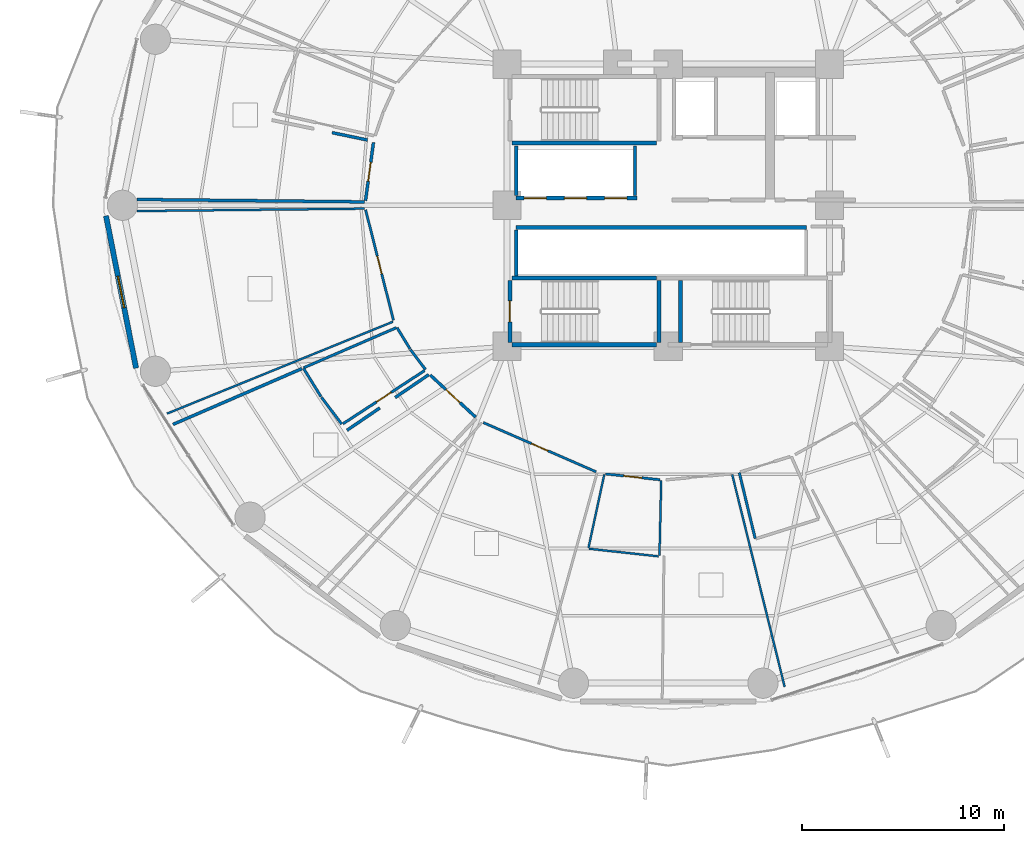
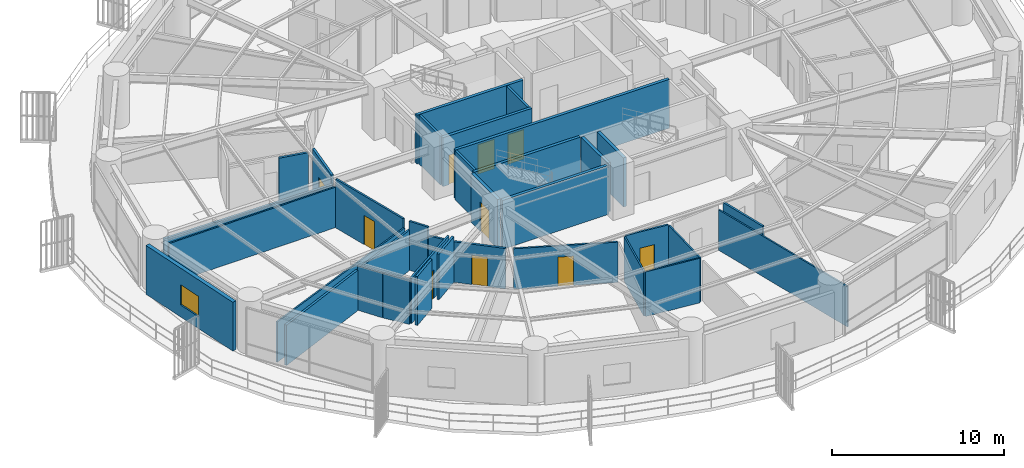
# One storey, part 24 of 33: 35 walls, 10 doors, 1 window, 11 openings.
"""IFC4 building model written with IfcOpenShell, lengths in metres."""

from ifc_helpers import new_model, si_unit, direction, frame, frame_2d, origin, place, context, subcontext, project, spatial, rectangle, extrude, material, layer, layer_set, type_object, element, fill, save


model = new_model("IFC4")

# Units and contexts
model_context = context("Model", 3, precision=1e-05, world=origin(), true_north=direction((0.0, 1.0)))
body_context = subcontext(model_context, "Body", "Model", "MODEL_VIEW")
ifc_project = project(units=[si_unit("LENGTHUNIT", "METRE"), si_unit("AREAUNIT", "SQUARE_METRE"), si_unit("VOLUMEUNIT", "CUBIC_METRE"), si_unit("PLANEANGLEUNIT", "RADIAN"), si_unit("MASSUNIT", "GRAM", prefix="KILO")], contexts=[model_context])

# Site, building, storey
site_placement = place(None, origin())
site = spatial("IfcSite", under=ifc_project, at=site_placement, CompositionType="ELEMENT")
building_placement = place(site_placement, origin())
building = spatial("IfcBuilding", under=site, at=building_placement, Name="Kelanora Arch Commons", CompositionType="ELEMENT")
storey_placement = place(building_placement, frame((0.0, 0.0, 26.25)))
storey = spatial("IfcBuildingStorey", under=building, at=storey_placement, Name="L06", CompositionType="ELEMENT", Elevation=26.25)

# Walls
ifc_material_1 = material(Name="Autoclaved aerated concrete blockwork with fire plaster", Category="masonry")
ifc_layer_1 = layer(ifc_material_1, 0.14990234375)
ifc_layer_set_1 = layer_set([ifc_layer_1], Name="Autoclaved aerated concrete blockwork with fire plaster")
wall_type_1 = type_object("IfcWallType", Name="W-COMP-150", PredefinedType="PARTITIONING", material=ifc_layer_set_1)
for number, where, z_axis, x_axis, name in (
    (1, (66.4599609375, 58.47998046875, 0.0), (0.0, 0.0, 1.0), (0.0, 1.0, 0.0), "Low-Rise Lift Bank West Wall L06"),
    (2, (72.340087890625, 58.47998046875, 0.0), (0.0, 0.0, 1.0), (0.0, 1.0, 0.0), "Low-Rise Lift Bank East Wall L06"),
):
    element("IfcWall", number, at=place(storey_placement, frame(where, z_axis=z_axis, x_axis=x_axis)), inside=storey, type_object=wall_type_1, Name=name, PredefinedType="PARTITIONING", context=body_context, shape_type="SweptSolid", body=[
        extrude(rectangle(XDim=2.4599609375, YDim=0.14990234375, at=frame_2d((1.22998046875, 0.0))), origin(), (0.0, 0.0, 1.0), 3.47998046875),
    ])
wall_1_placement = place(storey_placement, frame((66.4599609375, 54.47998046875, 0.0), z_axis=(0.0, 0.0, 1.0), x_axis=(0.0, 1.0, 0.0)))
element("IfcWall", 3, at=wall_1_placement, inside=storey, type_object=wall_type_1, Name="South Lift Bank West Wall L06", PredefinedType="PARTITIONING", context=body_context, shape_type="SweptSolid", body=[
    extrude(rectangle(XDim=2.2900390625, YDim=0.14990234375, at=frame_2d((1.14501953125, 0.0))), origin(), (0.0, 0.0, 1.0), 3.47998046875),
])

# Wall, opening, door
wall_2_placement = place(storey_placement, frame((59.375, 61.114501953125, 0.0), z_axis=(0.0, 0.0, 1.0), x_axis=(-0.135838186105, -0.990731036758, 0.0)))
wall_2 = element("IfcWall", 4, at=wall_2_placement, inside=storey, type_object=wall_type_1, Name="Co-Living Studio L06-07 Entry Partition", PredefinedType="PARTITIONING", context=body_context, shape_type="SweptSolid", body=[
    extrude(rectangle(XDim=2.915283203125, YDim=0.14990234375, at=frame_2d((1.45751953125, 0.0))), origin(), (0.0, 0.0, 1.0), 3.47998046875),
])
opening_1_placement = place(wall_2_placement, frame((0.98291015625, 0.0, 0.0)))
opening_1 = element("IfcOpeningElement", 5, at=opening_1_placement, cuts=wall_2, Name="Opening D-CLU1", PredefinedType="OPENING", context=body_context, shape_type="SweptSolid", body=[
    extrude(rectangle(XDim=0.949951171875, YDim=2.080078125, at=frame_2d((0.47509765625, 1.0400390625))), frame((0.0, 0.0849609375, 0.0), z_axis=(0.0, -1.0, 0.0), x_axis=(1.0, 0.0, 0.0)), (0.0, 0.0, 1.0), 0.169921875),
])
ifc_material_2 = material(Name="Solid-core acoustic timber cluster entry fire door", Category="wood")
door_type_1 = type_object("IfcDoorType", Name="D-CLU-95", OperationType="NOTDEFINED", PredefinedType="DOOR", material=ifc_material_2)
door_1_placement = place(opening_1_placement, origin())
door_1 = element("IfcDoor", 6, at=door_1_placement, inside=storey, type_object=door_type_1, Name="Co-Living Studio L06-07 Door", OperationType="SINGLE_SWING_RIGHT", OverallHeight=2.080078125, OverallWidth=0.949951171875, PredefinedType="DOOR", context=body_context, shape_type="SweptSolid", body=[
    extrude(rectangle(XDim=0.949951171875, YDim=2.080078125, at=frame_2d((0.47509765625, 1.0400390625))), frame((0.0, 0.02490234375, 0.0), z_axis=(0.0, -1.0, 0.0), x_axis=(1.0, 0.0, 0.0)), (0.0, 0.0, 1.0), 0.050048828125),
])
fill(opening_1, door_1)

wall_3_placement = place(storey_placement, frame((62.194091796875, 49.5751953125, 0.0), z_axis=(0.0, 0.0, 1.0), x_axis=(0.7329267348, -0.680307578538, 0.0)))
wall_3 = element("IfcWall", 7, at=wall_3_placement, inside=storey, type_object=wall_type_1, Name="Co-Living Studio L06-09 Entry Partition", PredefinedType="PARTITIONING", context=body_context, shape_type="SweptSolid", body=[
    extrude(rectangle(XDim=3.06689453125, YDim=0.14990234375, at=frame_2d((1.533447265625, 0.0))), origin(), (0.0, 0.0, 1.0), 2.875),
])
opening_2_placement = place(wall_3_placement, frame((1.05908203125, 0.0, 0.0)))
opening_2 = element("IfcOpeningElement", 8, at=opening_2_placement, cuts=wall_3, Name="Opening D-CLU1", PredefinedType="OPENING", context=body_context, shape_type="SweptSolid", body=[
    extrude(rectangle(XDim=0.949951171875, YDim=2.080078125, at=frame_2d((0.47509765625, 1.0400390625))), frame((0.0, 0.0849609375, 0.0), z_axis=(0.0, -1.0, 0.0), x_axis=(1.0, 0.0, 0.0)), (0.0, 0.0, 1.0), 0.169921875),
])
door_2_placement = place(opening_2_placement, origin())
door_2 = element("IfcDoor", 9, at=door_2_placement, inside=storey, type_object=door_type_1, Name="Co-Living Studio L06-09 Door", OperationType="SINGLE_SWING_LEFT", OverallHeight=2.080078125, OverallWidth=0.949951171875, PredefinedType="DOOR", context=body_context, shape_type="SweptSolid", body=[
    extrude(rectangle(XDim=0.949951171875, YDim=2.080078125, at=frame_2d((0.47509765625, 1.0400390625))), frame((0.0, 0.02490234375, 0.0), z_axis=(0.0, -1.0, 0.0), x_axis=(1.0, 0.0, 0.0)), (0.0, 0.0, 1.0), 0.050048828125),
])
fill(opening_2, door_2)

# Walls
wall_4_placement = place(storey_placement, frame((58.930908203125, 58.16748046875, 0.0), z_axis=(0.0, 0.0, 1.0), x_axis=(-0.999943877154, 0.010594458135, 0.0)))
element("IfcWall", 10, at=wall_4_placement, inside=storey, type_object=wall_type_1, Name="Co-Living Studio L06-07 Enclosure Partition 2", PredefinedType="PARTITIONING", context=body_context, shape_type="SweptSolid", body=[
    extrude(rectangle(XDim=11.291748046875, YDim=0.14990234375, at=frame_2d((5.64599609375, 0.0))), origin(), (0.0, 0.0, 1.0), 2.875),
])
wall_5_placement = place(storey_placement, frame((57.325439453125, 61.603271484375, 0.0), z_axis=(0.0, 0.0, 1.0), x_axis=(0.978929424395, -0.204198878681, 0.0)))
element("IfcWall", 11, at=wall_5_placement, inside=storey, type_object=wall_type_1, Name="Co-Living Studio L06-07 Enclosure Partition 7", PredefinedType="PARTITIONING", context=body_context, shape_type="SweptSolid", body=[
    extrude(rectangle(XDim=1.79345703125, YDim=0.14990234375, at=frame_2d((0.896728515625, 0.0))), origin(), (0.0, 0.0, 1.0), 3.235107421875),
])
wall_6_placement = place(storey_placement, frame((49.42578125, 47.1259765625, 0.0), z_axis=(0.0, 0.0, 1.0), x_axis=(0.917736225937, 0.397190407239, 0.0)))
element("IfcWall", 12, at=wall_6_placement, inside=storey, type_object=wall_type_1, Name="Co-Living Studio L06-09 Enclosure Partition 5", PredefinedType="PARTITIONING", context=body_context, shape_type="SweptSolid", body=[
    extrude(rectangle(XDim=6.966552734375, YDim=0.14990234375, at=frame_2d((3.4833984375, 0.0))), origin(), (0.0, 0.0, 1.0), 2.875),
])
wall_7_placement = place(storey_placement, frame((58.06103515625, 46.83447265625, 0.0), z_axis=(0.0, 0.0, 1.0), x_axis=(0.826811291248, 0.562479411769, 0.0)))
element("IfcWall", 13, at=wall_7_placement, inside=storey, type_object=wall_type_1, Name="Co-Living Studio L06-09 Enclosure Partition 7", PredefinedType="PARTITIONING", context=body_context, shape_type="SweptSolid", body=[
    extrude(rectangle(XDim=1.970947265625, YDim=0.14990234375, at=frame_2d((0.9853515625, 0.0))), origin(), (0.0, 0.0, 1.0), 3.47998046875),
])
wall_8_placement = place(storey_placement, frame((60.451416015625, 48.460693359375, 0.0), z_axis=(0.0, 0.0, 1.0), x_axis=(0.826867883695, 0.562396215237, 0.0)))
element("IfcWall", 14, at=wall_8_placement, inside=storey, type_object=wall_type_1, Name="Co-Living Studio L06-09 Enclosure Partition 7", PredefinedType="PARTITIONING", context=body_context, shape_type="SweptSolid", body=[
    extrude(rectangle(XDim=2.01416015625, YDim=0.14990234375, at=frame_2d((1.007080078125, 0.0))), origin(), (0.0, 0.0, 1.0), 3.235107421875),
])

# Wall, opening, window
ifc_material_3 = material(Name="Precast concrete C40/50 with terracotta rainscreen", Category="masonry")
ifc_layer_2 = layer(ifc_material_3, 0.260009765625)
ifc_layer_set_2 = layer_set([ifc_layer_2], Name="Precast concrete C40/50 with terracotta rainscreen")
wall_type_2 = type_object("IfcWallType", Name="W-EXT-TC", PredefinedType="SOLIDWALL", material=ifc_layer_set_2)
wall_9_placement = place(storey_placement, frame((46.103515625, 57.4765625, 0.0), z_axis=(0.0, 0.0, 1.0), x_axis=(0.193726159581, -0.98105564322, 0.0)))
wall_9 = element("IfcWall", 15, at=wall_9_placement, inside=storey, type_object=wall_type_2, Name="Terracotta Exterior Wall L06-B09", PredefinedType="SOLIDWALL", context=body_context, shape_type="SweptSolid", body=[
    extrude(rectangle(XDim=7.70263671875, YDim=0.260009765625, at=frame_2d((3.851318359375, 0.0))), origin(), (0.0, 0.0, 1.0), 3.47509765625),
])
opening_3_placement = place(wall_9_placement, frame((3.051025390625, 0.0, 0.85009765625)))
opening_3 = element("IfcOpeningElement", 16, at=opening_3_placement, cuts=wall_9, Name="Opening WN-01", PredefinedType="OPENING", context=body_context, shape_type="SweptSolid", body=[
    extrude(rectangle(XDim=1.60009765625, YDim=1.449951171875, at=frame_2d((0.800048828125, 0.72509765625))), frame((0.0, 0.14013671875, 0.0), z_axis=(0.0, -1.0, 0.0), x_axis=(1.0, 0.0, 0.0)), (0.0, 0.0, 1.0), 0.280029296875),
])
ifc_material_4 = material(Name="Terracotta-anodised aluminium frame with operable low-E glazing", Category="masonry")
window_type = type_object("IfcWindowType", Name="WIN-CL-18", PartitioningType="DOUBLE_PANEL_VERTICAL", PredefinedType="WINDOW", material=ifc_material_4)
window_placement = place(opening_3_placement, origin())
window = element("IfcWindow", 17, at=window_placement, inside=storey, type_object=window_type, Name="Co-Living Operable Window L06-B09", OverallHeight=1.449951171875, OverallWidth=1.60009765625, PartitioningType="SINGLE_PANEL", PredefinedType="WINDOW", context=body_context, shape_type="SweptSolid", body=[
    extrude(rectangle(XDim=1.60009765625, YDim=1.449951171875, at=frame_2d((0.800048828125, 0.72509765625))), frame((0.0, 0.030029296875, 0.0), z_axis=(0.0, -1.0, 0.0), x_axis=(1.0, 0.0, 0.0)), (0.0, 0.0, 1.0), 0.06005859375),
])
fill(opening_3, window)

# Wall, openings, doors
ifc_material_5 = material(Name="Concrete C40/50", Category="concrete")
ifc_layer_3 = layer(ifc_material_5, 0.199951171875)
ifc_layer_set_3 = layer_set([ifc_layer_3], Name="Concrete C40/50")
wall_type_3 = type_object("IfcWallType", Name="W-FFL-200", PredefinedType="SOLIDWALL", material=ifc_layer_set_3)
wall_10_placement = place(storey_placement, frame((66.449951171875, 58.35009765625, 0.0), z_axis=(0.0, 0.0, 1.0), x_axis=(1.0, 0.0, 0.0)))
wall_10 = element("IfcWall", 18, at=wall_10_placement, inside=storey, type_object=wall_type_3, Name="Low-Rise Passenger Lift Shaft Front L06", PredefinedType="SOLIDWALL", context=body_context, shape_type="SweptSolid", body=[
    extrude(rectangle(XDim=6.0, YDim=0.199951171875, at=frame_2d((3.0, 0.0))), origin(), (0.0, 0.0, 1.0), 3.47998046875),
])
opening_4_placement = place(wall_10_placement, frame((0.39990234375, 0.0, 0.0)))
opening_4 = element("IfcOpeningElement", 19, at=opening_4_placement, cuts=wall_10, Name="Opening LD-01", PredefinedType="OPENING", context=body_context, shape_type="SweptSolid", body=[
    extrude(rectangle(XDim=1.10009765625, YDim=2.10009765625, at=frame_2d((0.550048828125, 1.050048828125))), frame((0.0, 0.10986328125, 0.0), z_axis=(0.0, -1.0, 0.0), x_axis=(1.0, 0.0, 0.0)), (0.0, 0.0, 1.0), 0.219970703125),
])
opening_5_placement = place(wall_10_placement, frame((2.39990234375, 0.0, 0.0)))
opening_5 = element("IfcOpeningElement", 20, at=opening_5_placement, cuts=wall_10, Name="Opening LD-01", PredefinedType="OPENING", context=body_context, shape_type="SweptSolid", body=[
    extrude(rectangle(XDim=1.10009765625, YDim=2.10009765625, at=frame_2d((0.550048828125, 1.050048828125))), frame((0.0, 0.10986328125, 0.0), z_axis=(0.0, -1.0, 0.0), x_axis=(1.0, 0.0, 0.0)), (0.0, 0.0, 1.0), 0.219970703125),
])
opening_6_placement = place(wall_10_placement, frame((4.39990234375, 0.0, 0.0)))
opening_6 = element("IfcOpeningElement", 21, at=opening_6_placement, cuts=wall_10, Name="Opening LD-01", PredefinedType="OPENING", context=body_context, shape_type="SweptSolid", body=[
    extrude(rectangle(XDim=1.10009765625, YDim=2.10009765625, at=frame_2d((0.550048828125, 1.050048828125))), frame((0.0, 0.10986328125, 0.0), z_axis=(0.0, -1.0, 0.0), x_axis=(1.0, 0.0, 0.0)), (0.0, 0.0, 1.0), 0.219970703125),
])
ifc_material_6 = material(Name="Stainless steel passenger lift sliding landing door", Category="steel")
door_type_2 = type_object("IfcDoorType", Name="D-LIFT-110", OperationType="NOTDEFINED", PredefinedType="DOOR", material=ifc_material_6)
door_3_placement = place(opening_4_placement, origin())
door_3 = element("IfcDoor", 22, at=door_3_placement, inside=storey, type_object=door_type_2, Name="Passenger Lift LF-P1 Landing Door L06", OperationType="DOUBLE_DOOR_SLIDING", OverallHeight=2.10009765625, OverallWidth=1.10009765625, PredefinedType="DOOR", context=body_context, shape_type="SweptSolid", body=[
    extrude(rectangle(XDim=1.10009765625, YDim=2.10009765625, at=frame_2d((0.550048828125, 1.050048828125))), frame((0.0, 0.02490234375, 0.0), z_axis=(0.0, -1.0, 0.0), x_axis=(1.0, 0.0, 0.0)), (0.0, 0.0, 1.0), 0.050048828125),
])
fill(opening_4, door_3)
door_4_placement = place(opening_5_placement, origin())
door_4 = element("IfcDoor", 23, at=door_4_placement, inside=storey, type_object=door_type_2, Name="Passenger Lift LF-P2 Landing Door L06", OperationType="DOUBLE_DOOR_SLIDING", OverallHeight=2.10009765625, OverallWidth=1.10009765625, PredefinedType="DOOR", context=body_context, shape_type="SweptSolid", body=[
    extrude(rectangle(XDim=1.10009765625, YDim=2.10009765625, at=frame_2d((0.550048828125, 1.050048828125))), frame((0.0, 0.02490234375, 0.0), z_axis=(0.0, -1.0, 0.0), x_axis=(1.0, 0.0, 0.0)), (0.0, 0.0, 1.0), 0.050048828125),
])
fill(opening_5, door_4)
door_5_placement = place(opening_6_placement, origin())
door_5 = element("IfcDoor", 24, at=door_5_placement, inside=storey, type_object=door_type_2, Name="Passenger Lift LF-P3 Landing Door L06", OperationType="DOUBLE_DOOR_SLIDING", OverallHeight=2.10009765625, OverallWidth=1.10009765625, PredefinedType="DOOR", context=body_context, shape_type="SweptSolid", body=[
    extrude(rectangle(XDim=1.10009765625, YDim=2.10009765625, at=frame_2d((0.550048828125, 1.050048828125))), frame((0.0, 0.02490234375, 0.0), z_axis=(0.0, -1.0, 0.0), x_axis=(1.0, 0.0, 0.0)), (0.0, 0.0, 1.0), 0.050048828125),
])
fill(opening_6, door_5)

# Walls
wall_11_placement = place(storey_placement, frame((66.449951171875, 56.89990234375, 0.0), z_axis=(0.0, 0.0, 1.0), x_axis=(1.0, 0.0, 0.0)))
element("IfcWall", 25, at=wall_11_placement, inside=storey, type_object=wall_type_3, Name="Mid/High/Express Lift Shaft Front L06", PredefinedType="SOLIDWALL", context=body_context, shape_type="SweptSolid", body=[
    extrude(rectangle(XDim=14.400146484375, YDim=0.199951171875, at=frame_2d((7.2001953125, 0.0))), origin(), (0.0, 0.0, 1.0), 3.47998046875),
])
ifc_material_7 = material(Name="Lightweight fire-rated acoustic stud partition")
ifc_layer_4 = layer(ifc_material_7, 0.10009765625)
ifc_layer_set_4 = layer_set([ifc_layer_4], Name="Lightweight fire-rated acoustic stud partition")
wall_type_4 = type_object("IfcWallType", Name="W-PART-100", PredefinedType="PARTITIONING", material=ifc_layer_set_4)
wall_12_placement = place(storey_placement, frame((60.343017578125, 52.221923828125, 0.0), z_axis=(0.0, 0.0, 1.0), x_axis=(-0.926333713065, -0.376703931542, 0.0)))
element("IfcWall", 26, at=wall_12_placement, inside=storey, type_object=wall_type_4, Name="Social Sky Lounge L06-08 Enclosure Partition 2", PredefinedType="PARTITIONING", context=body_context, shape_type="SweptSolid", body=[
    extrude(rectangle(XDim=12.099365234375, YDim=0.10009765625, at=frame_2d((6.0498046875, 0.0))), origin(), (0.0, 0.0, 1.0), 2.875),
])
wall_13_placement = place(storey_placement, frame((47.639892578125, 57.712890625, 0.0), z_axis=(0.0, 0.0, 1.0), x_axis=(0.999943877154, 0.010594458135, 0.0)))
element("IfcWall", 27, at=wall_13_placement, inside=storey, type_object=wall_type_4, Name="Social Sky Lounge L06-08 Enclosure Partition 4", PredefinedType="PARTITIONING", context=body_context, shape_type="SweptSolid", body=[
    extrude(rectangle(XDim=11.291748046875, YDim=0.10009765625, at=frame_2d((5.64599609375, 0.0))), origin(), (0.0, 0.0, 1.0), 2.875),
])
wall_14_placement = place(storey_placement, frame((73.652099609375, 44.333984375, 0.0), z_axis=(0.0, 0.0, 1.0), x_axis=(-0.02316715399, -0.99973160547, 0.0)))
element("IfcWall", 28, at=wall_14_placement, inside=storey, type_object=wall_type_4, Name="Student Laundry Room L06-11 Enclosure Partition 2", PredefinedType="PARTITIONING", context=body_context, shape_type="SweptSolid", body=[
    extrude(rectangle(XDim=3.719970703125, YDim=0.10009765625, at=frame_2d((1.85986328125, 0.0))), origin(), (0.0, 0.0, 1.0), 3.175048828125),
])
wall_15_placement = place(storey_placement, frame((73.525146484375, 40.579345703125, 0.0), z_axis=(0.0, 0.0, 1.0), x_axis=(-0.994070147468, 0.108740709544, 0.0)))
element("IfcWall", 29, at=wall_15_placement, inside=storey, type_object=wall_type_4, Name="Student Laundry Room L06-11 Enclosure Partition 3", PredefinedType="PARTITIONING", context=body_context, shape_type="SweptSolid", body=[
    extrude(rectangle(XDim=3.470947265625, YDim=0.10009765625, at=frame_2d((1.7353515625, 0.0))), origin(), (0.0, 0.0, 1.0), 3.175048828125),
])
wall_16_placement = place(storey_placement, frame((70.04345703125, 41.0, 0.0), z_axis=(0.0, 0.0, 1.0), x_axis=(0.210519412271, 0.977589677246, 0.0)))
element("IfcWall", 30, at=wall_16_placement, inside=storey, type_object=wall_type_4, Name="Student Laundry Room L06-11 Enclosure Partition 4", PredefinedType="PARTITIONING", context=body_context, shape_type="SweptSolid", body=[
    extrude(rectangle(XDim=3.72021484375, YDim=0.10009765625, at=frame_2d((1.860107421875, 0.0))), origin(), (0.0, 0.0, 1.0), 3.175048828125),
])
wall_17_placement = place(storey_placement, frame((77.174560546875, 44.63720703125, 0.0), z_axis=(0.0, 0.0, 1.0), x_axis=(0.239971369295, -0.970779965759, 0.0)))
element("IfcWall", 31, at=wall_17_placement, inside=storey, type_object=wall_type_4, Name="Quiet Reading Carrel L06-11 Enclosure Partition 2", PredefinedType="PARTITIONING", context=body_context, shape_type="SweptSolid", body=[
    extrude(rectangle(XDim=10.84619140625, YDim=0.10009765625, at=frame_2d((5.423095703125, 0.0))), origin(), (0.0, 0.0, 1.0), 2.875),
])

# Wall, opening, door
ifc_material_8 = material(Name="Acoustic twin-stud fire-rated gypsum partition")
ifc_layer_5 = layer(ifc_material_8, 0.1201171875)
ifc_layer_set_5 = layer_set([ifc_layer_5], Name="Acoustic twin-stud fire-rated gypsum partition")
wall_type_5 = type_object("IfcWallType", Name="W-PART-120", PredefinedType="PARTITIONING", material=ifc_layer_set_5)
wall_18_placement = place(storey_placement, frame((58.985595703125, 57.77490234375, 0.0), z_axis=(0.0, 0.0, 1.0), x_axis=(0.244192294026, -0.969726829338, 0.0)))
wall_18 = element("IfcWall", 32, at=wall_18_placement, inside=storey, type_object=wall_type_5, Name="Social Sky Lounge L06-08 Entry Partition", PredefinedType="PARTITIONING", context=body_context, shape_type="SweptSolid", body=[
    extrude(rectangle(XDim=5.65087890625, YDim=0.1201171875, at=frame_2d((2.825439453125, 0.0))), origin(), (0.0, 0.0, 1.0), 3.47998046875),
])
opening_7_placement = place(wall_18_placement, frame((2.375, 0.0, 0.0)))
opening_7 = element("IfcOpeningElement", 33, at=opening_7_placement, cuts=wall_18, Name="Opening D-RM1", PredefinedType="OPENING", context=body_context, shape_type="SweptSolid", body=[
    extrude(rectangle(XDim=0.89990234375, YDim=2.080078125, at=frame_2d((0.449951171875, 1.0400390625))), frame((0.0, 0.070068359375, 0.0), z_axis=(0.0, -1.0, 0.0), x_axis=(1.0, 0.0, 0.0)), (0.0, 0.0, 1.0), 0.14013671875),
])
ifc_material_9 = material(Name="Acoustic fire-rated timber study and lounge door", Category="wood")
door_type_3 = type_object("IfcDoorType", Name="D-ROOM-90", OperationType="NOTDEFINED", PredefinedType="DOOR", material=ifc_material_9)
door_6_placement = place(opening_7_placement, origin())
door_6 = element("IfcDoor", 34, at=door_6_placement, inside=storey, type_object=door_type_3, Name="Social Sky Lounge L06-08 Door", OperationType="SINGLE_SWING_LEFT", OverallHeight=2.080078125, OverallWidth=0.89990234375, PredefinedType="DOOR", context=body_context, shape_type="SweptSolid", body=[
    extrude(rectangle(XDim=0.89990234375, YDim=2.080078125, at=frame_2d((0.449951171875, 1.0400390625))), frame((0.0, 0.02490234375, 0.0), z_axis=(0.0, -1.0, 0.0), x_axis=(1.0, 0.0, 0.0)), (0.0, 0.0, 1.0), 0.050048828125),
])
fill(opening_7, door_6)

wall_19_placement = place(storey_placement, frame((64.827880859375, 47.217041015625, 0.0), z_axis=(0.0, 0.0, 1.0), x_axis=(0.916419655578, -0.400218708797, 0.0)))
wall_19 = element("IfcWall", 35, at=wall_19_placement, inside=storey, type_object=wall_type_5, Name="Quiet Seminar Study Room L06-10 Entry Partition", PredefinedType="PARTITIONING", context=body_context, shape_type="SweptSolid", body=[
    extrude(rectangle(XDim=6.1044921875, YDim=0.1201171875, at=frame_2d((3.05224609375, 0.0))), origin(), (0.0, 0.0, 1.0), 2.875),
])
opening_8_placement = place(wall_19_placement, frame((2.60205078125, 0.0, 0.0)))
opening_8 = element("IfcOpeningElement", 36, at=opening_8_placement, cuts=wall_19, Name="Opening D-RM1", PredefinedType="OPENING", context=body_context, shape_type="SweptSolid", body=[
    extrude(rectangle(XDim=0.89990234375, YDim=2.080078125, at=frame_2d((0.449951171875, 1.0400390625))), frame((0.0, 0.070068359375, 0.0), z_axis=(0.0, -1.0, 0.0), x_axis=(1.0, 0.0, 0.0)), (0.0, 0.0, 1.0), 0.14013671875),
])
door_7_placement = place(opening_8_placement, origin())
door_7 = element("IfcDoor", 37, at=door_7_placement, inside=storey, type_object=door_type_3, Name="Quiet Seminar Study Room L06-10 Door", OperationType="SINGLE_SWING_RIGHT", OverallHeight=2.080078125, OverallWidth=0.89990234375, PredefinedType="DOOR", context=body_context, shape_type="SweptSolid", body=[
    extrude(rectangle(XDim=0.89990234375, YDim=2.080078125, at=frame_2d((0.449951171875, 1.0400390625))), frame((0.0, 0.02490234375, 0.0), z_axis=(0.0, -1.0, 0.0), x_axis=(1.0, 0.0, 0.0)), (0.0, 0.0, 1.0), 0.050048828125),
])
fill(opening_8, door_7)

wall_20_placement = place(storey_placement, frame((70.894775390625, 44.669677734375, 0.0), z_axis=(0.0, 0.0, 1.0), x_axis=(0.994302004983, -0.106599825921, 0.0)))
wall_20 = element("IfcWall", 38, at=wall_20_placement, inside=storey, type_object=wall_type_5, Name="Student Laundry Room L06-11 Entry Partition", PredefinedType="PARTITIONING", context=body_context, shape_type="SweptSolid", body=[
    extrude(rectangle(XDim=2.7138671875, YDim=0.1201171875, at=frame_2d((1.35693359375, 0.0))), origin(), (0.0, 0.0, 1.0), 3.235107421875),
])
opening_9_placement = place(wall_20_placement, frame((0.906982421875, 0.0, 0.0)))
opening_9 = element("IfcOpeningElement", 39, at=opening_9_placement, cuts=wall_20, Name="Opening D-RM1", PredefinedType="OPENING", context=body_context, shape_type="SweptSolid", body=[
    extrude(rectangle(XDim=0.89990234375, YDim=2.080078125, at=frame_2d((0.449951171875, 1.0400390625))), frame((0.0, 0.070068359375, 0.0), z_axis=(0.0, -1.0, 0.0), x_axis=(1.0, 0.0, 0.0)), (0.0, 0.0, 1.0), 0.14013671875),
])
door_8_placement = place(opening_9_placement, origin())
door_8 = element("IfcDoor", 40, at=door_8_placement, inside=storey, type_object=door_type_3, Name="Student Laundry Room L06-11 Door", OperationType="SINGLE_SWING_LEFT", OverallHeight=2.080078125, OverallWidth=0.89990234375, PredefinedType="DOOR", context=body_context, shape_type="SweptSolid", body=[
    extrude(rectangle(XDim=0.89990234375, YDim=2.080078125, at=frame_2d((0.449951171875, 1.0400390625))), frame((0.0, 0.02490234375, 0.0), z_axis=(0.0, -1.0, 0.0), x_axis=(1.0, 0.0, 0.0)), (0.0, 0.0, 1.0), 0.050048828125),
])
fill(opening_9, door_8)

# Walls
ifc_layer_6 = layer(ifc_material_5, 0.199951171875)
ifc_layer_set_6 = layer_set([ifc_layer_6], Name="Concrete C40/50")
wall_type_6 = type_object("IfcWallType", Name="W-STAIR-200", PredefinedType="SHEAR", material=ifc_layer_set_6)
wall_21_placement = place(storey_placement, frame((66.260009765625, 61.080078125, 0.0), z_axis=(0.0, 0.0, 1.0), x_axis=(1.0, 0.0, 0.0)))
element("IfcWall", 41, at=wall_21_placement, inside=storey, type_object=wall_type_6, Name="Stair ST-T1 Shaft Wall S L06", PredefinedType="SHEAR", context=body_context, shape_type="SweptSolid", body=[
    extrude(rectangle(XDim=7.159912109375, YDim=0.199951171875, at=frame_2d((3.580078125, 0.0))), origin(), (0.0, 0.0, 1.0), 3.489990234375),
])
wall_22_placement = place(storey_placement, frame((74.6201171875, 54.27001953125, 0.0), z_axis=(0.0, 0.0, 1.0), x_axis=(0.0, -1.0, 0.0)))
element("IfcWall", 42, at=wall_22_placement, inside=storey, type_object=wall_type_6, Name="Stair ST-T2 Shaft Wall W L06", PredefinedType="SHEAR", context=body_context, shape_type="SweptSolid", body=[
    extrude(rectangle(XDim=3.070068359375, YDim=0.199951171875, at=frame_2d((1.53515625, 0.0))), origin(), (0.0, 0.0, 1.0), 3.489990234375),
])
wall_23_placement = place(storey_placement, frame((66.260009765625, 51.080078125, 0.0), z_axis=(0.0, 0.0, 1.0), x_axis=(1.0, 0.0, 0.0)))
element("IfcWall", 43, at=wall_23_placement, inside=storey, type_object=wall_type_6, Name="Stair ST-T3 Shaft Wall S L06", PredefinedType="SHEAR", context=body_context, shape_type="SweptSolid", body=[
    extrude(rectangle(XDim=7.159912109375, YDim=0.199951171875, at=frame_2d((3.580078125, 0.0))), origin(), (0.0, 0.0, 1.0), 3.489990234375),
])
wall_24_placement = place(storey_placement, frame((73.5400390625, 51.199951171875, 0.0), z_axis=(0.0, 0.0, 1.0), x_axis=(0.0, 1.0, 0.0)))
element("IfcWall", 44, at=wall_24_placement, inside=storey, type_object=wall_type_6, Name="Stair ST-T3 Shaft Wall E L06", PredefinedType="SHEAR", context=body_context, shape_type="SweptSolid", body=[
    extrude(rectangle(XDim=3.070068359375, YDim=0.199951171875, at=frame_2d((1.53515625, 0.0))), origin(), (0.0, 0.0, 1.0), 3.489990234375),
])
wall_25_placement = place(storey_placement, frame((73.419921875, 54.389892578125, 0.0), z_axis=(0.0, 0.0, 1.0), x_axis=(-1.0, 0.0, 0.0)))
element("IfcWall", 45, at=wall_25_placement, inside=storey, type_object=wall_type_6, Name="Stair ST-T3 Shaft Wall N L06", PredefinedType="SHEAR", context=body_context, shape_type="SweptSolid", body=[
    extrude(rectangle(XDim=7.159912109375, YDim=0.199951171875, at=frame_2d((3.580078125, 0.0))), origin(), (0.0, 0.0, 1.0), 3.489990234375),
])

# Wall, opening, door
wall_26_placement = place(storey_placement, frame((66.139892578125, 54.27001953125, 0.0), z_axis=(0.0, 0.0, 1.0), x_axis=(0.0, -1.0, 0.0)))
wall_26 = element("IfcWall", 46, at=wall_26_placement, inside=storey, type_object=wall_type_6, Name="Stair ST-T3 Shaft Wall W L06", PredefinedType="SHEAR", context=body_context, shape_type="SweptSolid", body=[
    extrude(rectangle(XDim=3.070068359375, YDim=0.199951171875, at=frame_2d((1.53515625, 0.0))), origin(), (0.0, 0.0, 1.0), 3.489990234375),
])
opening_10_placement = place(wall_26_placement, frame((1.010009765625, 0.0, 0.0)))
opening_10 = element("IfcOpeningElement", 47, at=opening_10_placement, cuts=wall_26, Name="Opening D-ST1", PredefinedType="OPENING", context=body_context, shape_type="SweptSolid", body=[
    extrude(rectangle(XDim=1.050048828125, YDim=2.10009765625, at=frame_2d((0.52490234375, 1.050048828125))), frame((0.0, 0.10986328125, 0.0), z_axis=(0.0, -1.0, 0.0), x_axis=(1.0, 0.0, 0.0)), (0.0, 0.0, 1.0), 0.219970703125),
])
ifc_material_10 = material(Name="Steel fire-rated stairwell escape door", Category="steel")
door_type_4 = type_object("IfcDoorType", Name="D-STAIR-110", OperationType="NOTDEFINED", PredefinedType="DOOR", material=ifc_material_10)
door_9_placement = place(opening_10_placement, origin())
door_9 = element("IfcDoor", 48, at=door_9_placement, inside=storey, type_object=door_type_4, Name="Stair ST-T3 Escape Door L06", OperationType="SINGLE_SWING_LEFT", OverallHeight=2.10009765625, OverallWidth=1.050048828125, PredefinedType="DOOR", context=body_context, shape_type="SweptSolid", body=[
    extrude(rectangle(XDim=1.050048828125, YDim=2.10009765625, at=frame_2d((0.52490234375, 1.050048828125))), frame((0.0, 0.02490234375, 0.0), z_axis=(0.0, -1.0, 0.0), x_axis=(1.0, 0.0, 0.0)), (0.0, 0.0, 1.0), 0.050048828125),
])
fill(opening_10, door_9)

ifc_material_11 = material(Name="Moisture-resistant fire-rated cement-board plumbing wall")
ifc_layer_7 = layer(ifc_material_11, 0.1298828125)
ifc_layer_set_7 = layer_set([ifc_layer_7], Name="Moisture-resistant fire-rated cement-board plumbing wall")
wall_type_7 = type_object("IfcWallType", Name="W-WET-120", PredefinedType="PLUMBINGWALL", material=ifc_layer_set_7)
wall_27_placement = place(storey_placement, frame((61.916748046875, 49.80029296875, 0.0), z_axis=(0.0, 0.0, 1.0), x_axis=(-0.837796261941, -0.545982988267, 0.0)))
wall_27 = element("IfcWall", 49, at=wall_27_placement, inside=storey, type_object=wall_type_7, Name="En-Suite Shower WC L06-09 Entry Partition", PredefinedType="PLUMBINGWALL", context=body_context, shape_type="SweptSolid", body=[
    extrude(rectangle(XDim=4.838134765625, YDim=0.1298828125, at=frame_2d((2.4189453125, 0.0))), origin(), (0.0, 0.0, 1.0), 3.235107421875),
])
opening_11_placement = place(wall_27_placement, frame((1.989013671875, 0.0, 0.0)))
opening_11 = element("IfcOpeningElement", 50, at=opening_11_placement, cuts=wall_27, Name="Opening D-BT1", PredefinedType="OPENING", context=body_context, shape_type="SweptSolid", body=[
    extrude(rectangle(XDim=0.860107421875, YDim=2.050048828125, at=frame_2d((0.43017578125, 1.02490234375))), frame((0.0, 0.074951171875, 0.0), z_axis=(0.0, -1.0, 0.0), x_axis=(1.0, 0.0, 0.0)), (0.0, 0.0, 1.0), 0.14990234375),
])
ifc_material_12 = material(Name="Moisture-sealed fire-rated accessible bathroom door")
door_type_5 = type_object("IfcDoorType", Name="D-BATH-85", OperationType="NOTDEFINED", PredefinedType="DOOR", material=ifc_material_12)
door_10_placement = place(opening_11_placement, origin())
door_10 = element("IfcDoor", 51, at=door_10_placement, inside=storey, type_object=door_type_5, Name="En-Suite Shower WC L06-09 Door", OperationType="SINGLE_SWING_RIGHT", OverallHeight=2.050048828125, OverallWidth=0.860107421875, PredefinedType="DOOR", context=body_context, shape_type="SweptSolid", body=[
    extrude(rectangle(XDim=0.860107421875, YDim=2.050048828125, at=frame_2d((0.43017578125, 1.02490234375))), frame((0.0, 0.02490234375, 0.0), z_axis=(0.0, -1.0, 0.0), x_axis=(1.0, 0.0, 0.0)), (0.0, 0.0, 1.0), 0.050048828125),
])
fill(opening_11, door_10)

# Walls
wall_28_placement = place(storey_placement, frame((60.54931640625, 51.919921875, 0.0), z_axis=(0.0, 0.0, 1.0), x_axis=(0.52146609248, -0.853272004928, 0.0)))
element("IfcWall", 52, at=wall_28_placement, inside=storey, type_object=wall_type_7, Name="En-Suite Shower WC L06-09 Enclosure Partition 1", PredefinedType="PLUMBINGWALL", context=body_context, shape_type="SweptSolid", body=[
    extrude(rectangle(XDim=1.22802734375, YDim=0.1298828125, at=frame_2d((0.614013671875, 0.0))), origin(), (0.0, 0.0, 1.0), 3.47998046875),
])
wall_29_placement = place(storey_placement, frame((61.2119140625, 50.839111328125, 0.0), z_axis=(0.0, 0.0, 1.0), x_axis=(0.600347056143, -0.79973959023, 0.0)))
element("IfcWall", 53, at=wall_29_placement, inside=storey, type_object=wall_type_7, Name="En-Suite Shower WC L06-09 Enclosure Partition 2", PredefinedType="PLUMBINGWALL", context=body_context, shape_type="SweptSolid", body=[
    extrude(rectangle(XDim=1.23779296875, YDim=0.1298828125, at=frame_2d((0.618896484375, 0.0))), origin(), (0.0, 0.0, 1.0), 2.875),
])
wall_30_placement = place(storey_placement, frame((57.80078125, 47.141845703125, 0.0), z_axis=(0.0, 0.0, 1.0), x_axis=(-0.60376191721, 0.797164692725, 0.0)))
element("IfcWall", 54, at=wall_30_placement, inside=storey, type_object=wall_type_7, Name="En-Suite Shower WC L06-09 Enclosure Partition 4", PredefinedType="PLUMBINGWALL", context=body_context, shape_type="SweptSolid", body=[
    extrude(rectangle(XDim=1.668701171875, YDim=0.1298828125, at=frame_2d((0.83447265625, 0.0))), origin(), (0.0, 0.0, 1.0), 3.175048828125),
])
wall_31_placement = place(storey_placement, frame((56.7705078125, 48.5048828125, 0.0), z_axis=(0.0, 0.0, 1.0), x_axis=(-0.525540089642, 0.850768837099, 0.0)))
element("IfcWall", 55, at=wall_31_placement, inside=storey, type_object=wall_type_7, Name="En-Suite Shower WC L06-09 Enclosure Partition 5", PredefinedType="PLUMBINGWALL", context=body_context, shape_type="SweptSolid", body=[
    extrude(rectangle(XDim=1.6513671875, YDim=0.1298828125, at=frame_2d((0.82568359375, 0.0))), origin(), (0.0, 0.0, 1.0), 3.175048828125),
])
wall_32_placement = place(storey_placement, frame((55.910400390625, 49.934814453125, 0.0), z_axis=(0.0, 0.0, 1.0), x_axis=(0.917797204715, 0.397049481826, 0.0)))
element("IfcWall", 56, at=wall_32_placement, inside=storey, type_object=wall_type_7, Name="En-Suite Shower WC L06-09 Enclosure Partition 6", PredefinedType="PLUMBINGWALL", context=body_context, shape_type="SweptSolid", body=[
    extrude(rectangle(XDim=5.02294921875, YDim=0.1298828125, at=frame_2d((2.511474609375, 0.0))), origin(), (0.0, 0.0, 1.0), 2.875),
])
wall_33_placement = place(storey_placement, frame((78.315185546875, 41.46435546875, 0.0), z_axis=(0.0, 0.0, 1.0), x_axis=(-0.234406131581, 0.972138758345, 0.0)))
element("IfcWall", 57, at=wall_33_placement, inside=storey, type_object=wall_type_7, Name="Accessible Shared Floor WC L06-12 Enclosure Partition 4", PredefinedType="PLUMBINGWALL", context=body_context, shape_type="SweptSolid", body=[
    extrude(rectangle(XDim=3.35986328125, YDim=0.1298828125, at=frame_2d((1.679931640625, 0.0))), origin(), (0.0, 0.0, 1.0), 3.235107421875),
])

save(model, "model.ifc")
